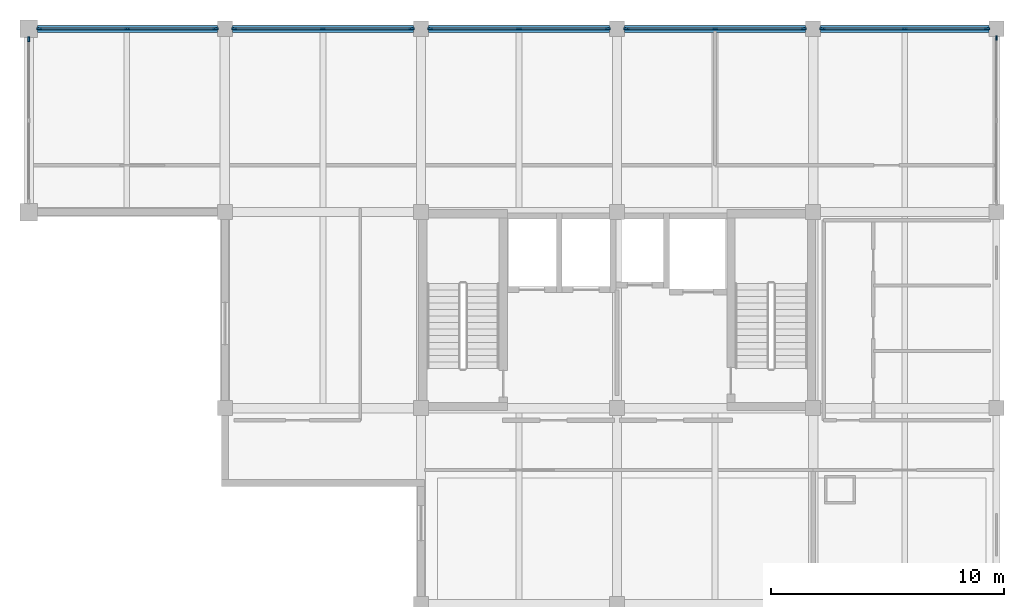
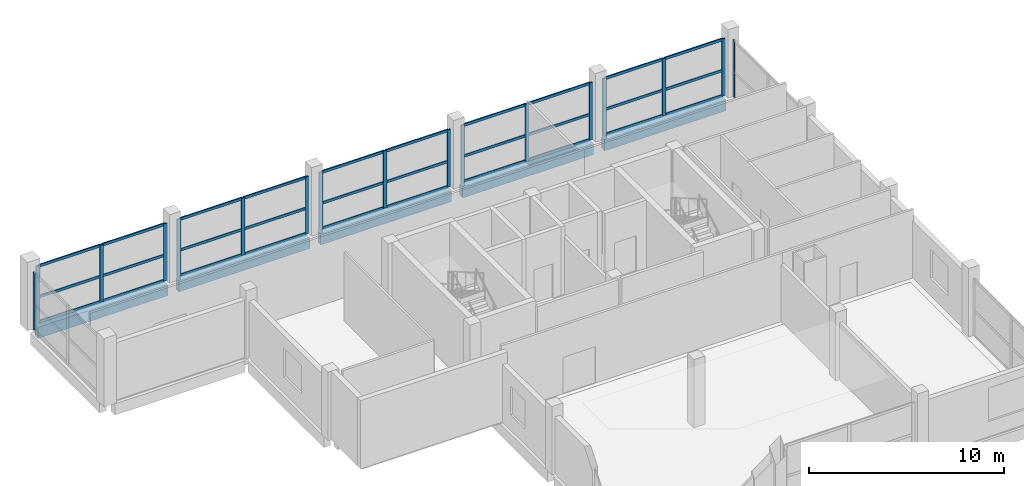
# One storey, part 5 of 9: 47 members, 5 beams, 7 elements without a shape of their own.
"""IFC4 building model written with IfcOpenShell, lengths in metres."""

from ifc_helpers import new_model, si_unit, direction, frame, origin, origin_2d, place, context, subcontext, project, spatial, rectangle, extrude, material, material_profile, profile_set, type_object, element, aggregate, save


model = new_model("IFC4")

# Units and contexts
model_context = context("Model", 3, precision=1e-05, world=origin(), true_north=direction((0.0, 1.0)))
body_context = subcontext(model_context, "Body", "Model", "MODEL_VIEW")
ifc_project = project(units=[si_unit("LENGTHUNIT", "METRE"), si_unit("AREAUNIT", "SQUARE_METRE"), si_unit("VOLUMEUNIT", "CUBIC_METRE"), si_unit("PLANEANGLEUNIT", "RADIAN"), si_unit("MASSUNIT", "GRAM", prefix="KILO")], contexts=[model_context])

# Site, building, storey
site_placement = place(None, origin())
site = spatial("IfcSite", under=ifc_project, at=site_placement, CompositionType="ELEMENT")
building_placement = place(site_placement, origin())
building = spatial("IfcBuilding", under=site, at=building_placement, Name="Brinegate Botanical Conservatory", CompositionType="ELEMENT")
storey_placement = place(building_placement, frame((0.0, 0.0, 61.199951171875)))
storey = spatial("IfcBuildingStorey", under=building, at=storey_placement, Name="L15", CompositionType="ELEMENT", Elevation=61.199951171875)

# Beams
ifc_material_1 = material(Name="Concrete C40/50", Category="concrete")
ifc_material_profile_1 = material_profile(ifc_material_1, rectangle(XDim=0.300048828125, YDim=0.699951171875, at=origin_2d()), Name="RC SPN 300x700")
ifc_profile_set_1 = profile_set([ifc_material_profile_1], Name="Concrete C40/50")
beam_type = type_object("IfcBeamType", Name="Beam_SP-02", PredefinedType="SPANDREL", material=ifc_profile_set_1)
beam_1_placement = place(storey_placement, frame((122.375, 111.449951171875, -0.530029296875), z_axis=(1.0, 0.0, 0.0), x_axis=(0.0, 1.0, 0.0)))
element("IfcBeam", 1, at=beam_1_placement, inside=storey, type_object=beam_type, Name="Beam SP-02 L15 P:16-17", PredefinedType="SPANDREL", context=body_context, shape_type="SweptSolid", body=[
    extrude(rectangle(XDim=0.300048828125, YDim=0.699951171875, at=origin_2d()), origin(), (0.0, 0.0, 1.0), 7.699951171875),
])
for number, where, z_axis, x_axis, name in (
    (2, (130.72509765625, 111.449951171875, -0.530029296875), (1.0, 0.0, 0.0), (0.0, 1.0, 0.0), "Beam SP-02 L15 P:17-18"),
    (3, (139.125, 111.449951171875, -0.530029296875), (1.0, 0.0, 0.0), (0.0, 1.0, 0.0), "Beam SP-02 L15 P:18-19"),
    (4, (147.52490234375, 111.449951171875, -0.530029296875), (1.0, 0.0, 0.0), (0.0, 1.0, 0.0), "Beam SP-02 L15 P:19-20"),
):
    element("IfcBeam", number, at=place(storey_placement, frame(where, z_axis=z_axis, x_axis=x_axis)), inside=storey, type_object=beam_type, Name=name, PredefinedType="SPANDREL", context=body_context, shape_type="SweptSolid", body=[
        extrude(rectangle(XDim=0.300048828125, YDim=0.699951171875, at=origin_2d()), origin(), (0.0, 0.0, 1.0), 7.75),
    ])
beam_2_placement = place(storey_placement, frame((155.925048828125, 111.449951171875, -0.530029296875), z_axis=(1.0, 0.0, 0.0), x_axis=(0.0, 1.0, 0.0)))
element("IfcBeam", 5, at=beam_2_placement, inside=storey, type_object=beam_type, Name="Beam SP-02 L15 P:20-21", PredefinedType="SPANDREL", context=body_context, shape_type="SweptSolid", body=[
    extrude(rectangle(XDim=0.300048828125, YDim=0.699951171875, at=origin_2d()), origin(), (0.0, 0.0, 1.0), 7.199951171875),
])

# Curtain wall, member
ifc_material_2 = material(Name="Thermally broken anodised aluminium AW-6063-T6", Category="aluminium")
curtain_wall_type_1 = type_object("IfcCurtainWallType", Name="CW_CW-TW2", PredefinedType="USERDEFINED", material=ifc_material_2)
curtain_wall_1_placement = place(storey_placement, origin())
curtain_wall_1 = element("IfcCurtainWall", 6, at=curtain_wall_1_placement, inside=storey, type_object=curtain_wall_type_1, Name="Tower east curtain wall L15.4", ObjectType="FACTORY CURTAIN WALL", PredefinedType="USERDEFINED")
ifc_material_profile_2 = material_profile(ifc_material_2, rectangle(XDim=0.070068359375, YDim=0.199951171875, at=origin_2d()), Name="ALUM MULLION 70x200")
ifc_profile_set_2 = profile_set([ifc_material_profile_2], Name="Thermally broken anodised aluminium AW-6063-T6")
member_type_1 = type_object("IfcMemberType", Name="Member_ML-03", PredefinedType="MULLION", material=ifc_profile_set_2)
member_1_placement = place(storey_placement, frame((163.449951171875, 111.050048828125, 0.0), z_axis=(0.0, 0.0, 1.0), x_axis=(1.0, 0.0, 0.0)))
member_1 = element("IfcMember", 7, at=member_1_placement, type_object=member_type_1, Name="CW-TW2 mullion 1", PredefinedType="MULLION", context=body_context, shape_type="SweptSolid", body=[
    extrude(rectangle(XDim=0.070068359375, YDim=0.199951171875, at=origin_2d()), origin(), (0.0, 0.0, 1.0), 3.580078125),
])
aggregate(curtain_wall_1, [member_1])

curtain_wall_type_2 = type_object("IfcCurtainWallType", Name="CW_CW-TW1", PredefinedType="USERDEFINED", material=ifc_material_2)
curtain_wall_2_placement = place(storey_placement, origin())
curtain_wall_2 = element("IfcCurtainWall", 8, at=curtain_wall_2_placement, inside=storey, type_object=curtain_wall_type_2, Name="Tower north-west curtain wall L15", ObjectType="FACTORY CURTAIN WALL", PredefinedType="USERDEFINED")
member_2_placement = place(storey_placement, frame((122.0, 111.0, 0.0), z_axis=(0.0, 0.0, 1.0), x_axis=(-1.0, 0.0, 0.0)))
member_2 = element("IfcMember", 9, at=member_2_placement, type_object=member_type_1, Name="CW-TW1 mullion 3", PredefinedType="MULLION", context=body_context, shape_type="SweptSolid", body=[
    extrude(rectangle(XDim=0.070068359375, YDim=0.199951171875, at=origin_2d()), origin(), (0.0, 0.0, 1.0), 3.580078125),
])
aggregate(curtain_wall_2, [member_2])

# Curtain wall, members
curtain_wall_3_placement = place(storey_placement, origin())
curtain_wall_3 = element("IfcCurtainWall", 10, at=curtain_wall_3_placement, inside=storey, type_object=curtain_wall_type_1, Name="Sky gallery north curtain wall 1", ObjectType="FACTORY CURTAIN WALL", PredefinedType="USERDEFINED")
ifc_material_profile_3 = material_profile(ifc_material_2, rectangle(XDim=0.074951171875, YDim=0.219970703125, at=origin_2d()), Name="ALUM MULLION 75x220")
ifc_profile_set_3 = profile_set([ifc_material_profile_3], Name="Thermally broken anodised aluminium AW-6063-T6")
member_type_2 = type_object("IfcMemberType", Name="Member_ML-04", PredefinedType="MULLION", material=ifc_profile_set_3)
member_3_placement = place(storey_placement, frame((122.452392578125, 111.449951171875, 0.0), z_axis=(0.0, 0.0, 1.0), x_axis=(0.0, 1.0, 0.0)))
member_3 = element("IfcMember", 11, at=member_3_placement, type_object=member_type_2, Name="CW-TW2 mullion 1", PredefinedType="MULLION", context=body_context, shape_type="SweptSolid", body=[
    extrude(rectangle(XDim=0.074951171875, YDim=0.219970703125, at=origin_2d()), origin(), (0.0, 0.0, 1.0), 3.580078125),
])
member_4_placement = place(storey_placement, frame((126.22509765625, 111.449951171875, 0.0), z_axis=(0.0, 0.0, 1.0), x_axis=(0.0, 1.0, 0.0)))
member_4 = element("IfcMember", 12, at=member_4_placement, type_object=member_type_2, Name="CW-TW2 mullion 2", PredefinedType="MULLION", context=body_context, shape_type="SweptSolid", body=[
    extrude(rectangle(XDim=0.074951171875, YDim=0.219970703125, at=origin_2d()), origin(), (0.0, 0.0, 1.0), 3.580078125),
])
member_5_placement = place(storey_placement, frame((129.99755859375, 111.449951171875, 0.0), z_axis=(0.0, 0.0, 1.0), x_axis=(0.0, 1.0, 0.0)))
member_5 = element("IfcMember", 13, at=member_5_placement, type_object=member_type_2, Name="CW-TW2 mullion 3", PredefinedType="MULLION", context=body_context, shape_type="SweptSolid", body=[
    extrude(rectangle(XDim=0.074951171875, YDim=0.219970703125, at=origin_2d()), origin(), (0.0, 0.0, 1.0), 3.580078125),
])

curtain_wall_4_placement = place(storey_placement, origin())
curtain_wall_4 = element("IfcCurtainWall", 14, at=curtain_wall_4_placement, inside=storey, type_object=curtain_wall_type_1, Name="Sky gallery north curtain wall 2", ObjectType="FACTORY CURTAIN WALL", PredefinedType="USERDEFINED")
member_6_placement = place(storey_placement, frame((130.802490234375, 111.449951171875, 0.0), z_axis=(0.0, 0.0, 1.0), x_axis=(0.0, 1.0, 0.0)))
member_6 = element("IfcMember", 15, at=member_6_placement, type_object=member_type_2, Name="CW-TW2 mullion 1", PredefinedType="MULLION", context=body_context, shape_type="SweptSolid", body=[
    extrude(rectangle(XDim=0.074951171875, YDim=0.219970703125, at=origin_2d()), origin(), (0.0, 0.0, 1.0), 3.580078125),
])
member_7_placement = place(storey_placement, frame((134.60009765625, 111.449951171875, 0.0), z_axis=(0.0, 0.0, 1.0), x_axis=(0.0, 1.0, 0.0)))
member_7 = element("IfcMember", 16, at=member_7_placement, type_object=member_type_2, Name="CW-TW2 mullion 2", PredefinedType="MULLION", context=body_context, shape_type="SweptSolid", body=[
    extrude(rectangle(XDim=0.074951171875, YDim=0.219970703125, at=origin_2d()), origin(), (0.0, 0.0, 1.0), 3.580078125),
])
member_8_placement = place(storey_placement, frame((138.3974609375, 111.449951171875, 0.0), z_axis=(0.0, 0.0, 1.0), x_axis=(0.0, 1.0, 0.0)))
member_8 = element("IfcMember", 17, at=member_8_placement, type_object=member_type_2, Name="CW-TW2 mullion 3", PredefinedType="MULLION", context=body_context, shape_type="SweptSolid", body=[
    extrude(rectangle(XDim=0.074951171875, YDim=0.219970703125, at=origin_2d()), origin(), (0.0, 0.0, 1.0), 3.580078125),
])

curtain_wall_5_placement = place(storey_placement, origin())
curtain_wall_5 = element("IfcCurtainWall", 18, at=curtain_wall_5_placement, inside=storey, type_object=curtain_wall_type_1, Name="Sky gallery north curtain wall 3", ObjectType="FACTORY CURTAIN WALL", PredefinedType="USERDEFINED")
member_9_placement = place(storey_placement, frame((139.202392578125, 111.449951171875, 0.0), z_axis=(0.0, 0.0, 1.0), x_axis=(0.0, 1.0, 0.0)))
member_9 = element("IfcMember", 19, at=member_9_placement, type_object=member_type_2, Name="CW-TW2 mullion 1", PredefinedType="MULLION", context=body_context, shape_type="SweptSolid", body=[
    extrude(rectangle(XDim=0.074951171875, YDim=0.219970703125, at=origin_2d()), origin(), (0.0, 0.0, 1.0), 3.580078125),
])
member_10_placement = place(storey_placement, frame((143.0, 111.449951171875, 0.0), z_axis=(0.0, 0.0, 1.0), x_axis=(0.0, 1.0, 0.0)))
member_10 = element("IfcMember", 20, at=member_10_placement, type_object=member_type_2, Name="CW-TW2 mullion 2", PredefinedType="MULLION", context=body_context, shape_type="SweptSolid", body=[
    extrude(rectangle(XDim=0.074951171875, YDim=0.219970703125, at=origin_2d()), origin(), (0.0, 0.0, 1.0), 3.580078125),
])
member_11_placement = place(storey_placement, frame((146.797607421875, 111.449951171875, 0.0), z_axis=(0.0, 0.0, 1.0), x_axis=(0.0, 1.0, 0.0)))
member_11 = element("IfcMember", 21, at=member_11_placement, type_object=member_type_2, Name="CW-TW2 mullion 3", PredefinedType="MULLION", context=body_context, shape_type="SweptSolid", body=[
    extrude(rectangle(XDim=0.074951171875, YDim=0.219970703125, at=origin_2d()), origin(), (0.0, 0.0, 1.0), 3.580078125),
])

curtain_wall_6_placement = place(storey_placement, origin())
curtain_wall_6 = element("IfcCurtainWall", 22, at=curtain_wall_6_placement, inside=storey, type_object=curtain_wall_type_1, Name="Sky gallery north curtain wall 4", ObjectType="FACTORY CURTAIN WALL", PredefinedType="USERDEFINED")
member_12_placement = place(storey_placement, frame((147.6025390625, 111.449951171875, 0.0), z_axis=(0.0, 0.0, 1.0), x_axis=(0.0, 1.0, 0.0)))
member_12 = element("IfcMember", 23, at=member_12_placement, type_object=member_type_2, Name="CW-TW2 mullion 1", PredefinedType="MULLION", context=body_context, shape_type="SweptSolid", body=[
    extrude(rectangle(XDim=0.074951171875, YDim=0.219970703125, at=origin_2d()), origin(), (0.0, 0.0, 1.0), 3.580078125),
])
member_13_placement = place(storey_placement, frame((151.39990234375, 111.449951171875, 0.0), z_axis=(0.0, 0.0, 1.0), x_axis=(0.0, 1.0, 0.0)))
member_13 = element("IfcMember", 24, at=member_13_placement, type_object=member_type_2, Name="CW-TW2 mullion 2", PredefinedType="MULLION", context=body_context, shape_type="SweptSolid", body=[
    extrude(rectangle(XDim=0.074951171875, YDim=0.219970703125, at=origin_2d()), origin(), (0.0, 0.0, 1.0), 3.580078125),
])
member_14_placement = place(storey_placement, frame((155.197509765625, 111.449951171875, 0.0), z_axis=(0.0, 0.0, 1.0), x_axis=(0.0, 1.0, 0.0)))
member_14 = element("IfcMember", 25, at=member_14_placement, type_object=member_type_2, Name="CW-TW2 mullion 3", PredefinedType="MULLION", context=body_context, shape_type="SweptSolid", body=[
    extrude(rectangle(XDim=0.074951171875, YDim=0.219970703125, at=origin_2d()), origin(), (0.0, 0.0, 1.0), 3.580078125),
])

curtain_wall_7_placement = place(storey_placement, origin())
curtain_wall_7 = element("IfcCurtainWall", 26, at=curtain_wall_7_placement, inside=storey, type_object=curtain_wall_type_1, Name="Sky gallery north curtain wall 5", ObjectType="FACTORY CURTAIN WALL", PredefinedType="USERDEFINED")
member_15_placement = place(storey_placement, frame((156.00244140625, 111.449951171875, 0.0), z_axis=(0.0, 0.0, 1.0), x_axis=(0.0, 1.0, 0.0)))
member_15 = element("IfcMember", 27, at=member_15_placement, type_object=member_type_2, Name="CW-TW2 mullion 1", PredefinedType="MULLION", context=body_context, shape_type="SweptSolid", body=[
    extrude(rectangle(XDim=0.074951171875, YDim=0.219970703125, at=origin_2d()), origin(), (0.0, 0.0, 1.0), 3.580078125),
])
member_16_placement = place(storey_placement, frame((159.52490234375, 111.449951171875, 0.0), z_axis=(0.0, 0.0, 1.0), x_axis=(0.0, 1.0, 0.0)))
member_16 = element("IfcMember", 28, at=member_16_placement, type_object=member_type_2, Name="CW-TW2 mullion 2", PredefinedType="MULLION", context=body_context, shape_type="SweptSolid", body=[
    extrude(rectangle(XDim=0.074951171875, YDim=0.219970703125, at=origin_2d()), origin(), (0.0, 0.0, 1.0), 3.580078125),
])
member_17_placement = place(storey_placement, frame((163.047607421875, 111.449951171875, 0.0), z_axis=(0.0, 0.0, 1.0), x_axis=(0.0, 1.0, 0.0)))
member_17 = element("IfcMember", 29, at=member_17_placement, type_object=member_type_2, Name="CW-TW2 mullion 3", PredefinedType="MULLION", context=body_context, shape_type="SweptSolid", body=[
    extrude(rectangle(XDim=0.074951171875, YDim=0.219970703125, at=origin_2d()), origin(), (0.0, 0.0, 1.0), 3.580078125),
])

# Member
ifc_material_profile_4 = material_profile(ifc_material_2, rectangle(XDim=0.074951171875, YDim=0.1650390625, at=origin_2d()), Name="ALUM TRANSOM 75x165")
ifc_profile_set_4 = profile_set([ifc_material_profile_4], Name="Thermally broken anodised aluminium AW-6063-T6")
member_type_3 = type_object("IfcMemberType", Name="Member_TR-04", PredefinedType="USERDEFINED", material=ifc_profile_set_4)
member_18_placement = place(storey_placement, frame((122.489990234375, 111.449951171875, 0.03759765625), z_axis=(1.0, 0.0, 0.0), x_axis=(0.0, 1.0, 0.0)))
member_18 = element("IfcMember", 30, at=member_18_placement, type_object=member_type_3, Name="CW-TW2 transom 1.1", ObjectType="TRANSOM", PredefinedType="USERDEFINED", context=body_context, shape_type="SweptSolid", body=[
    extrude(rectangle(XDim=0.074951171875, YDim=0.1650390625, at=origin_2d()), origin(), (0.0, 0.0, 1.0), 3.697509765625),
])

member_19_placement = place(storey_placement, frame((122.489990234375, 111.449951171875, 1.611083984375), z_axis=(1.0, 0.0, 0.0), x_axis=(0.0, 1.0, 0.0)))
member_19 = element("IfcMember", 31, at=member_19_placement, type_object=member_type_3, Name="CW-TW2 transom 1.2", ObjectType="TRANSOM", PredefinedType="USERDEFINED", context=body_context, shape_type="SweptSolid", body=[
    extrude(rectangle(XDim=0.074951171875, YDim=0.1650390625, at=origin_2d()), origin(), (0.0, 0.0, 1.0), 3.697509765625),
])

member_20_placement = place(storey_placement, frame((122.489990234375, 111.449951171875, 3.54248046875), z_axis=(1.0, 0.0, 0.0), x_axis=(0.0, 1.0, 0.0)))
member_20 = element("IfcMember", 32, at=member_20_placement, type_object=member_type_3, Name="CW-TW2 transom 1.3", ObjectType="TRANSOM", PredefinedType="USERDEFINED", context=body_context, shape_type="SweptSolid", body=[
    extrude(rectangle(XDim=0.074951171875, YDim=0.1650390625, at=origin_2d()), origin(), (0.0, 0.0, 1.0), 3.697509765625),
])

member_21_placement = place(storey_placement, frame((126.262451171875, 111.449951171875, 0.03759765625), z_axis=(1.0, 0.0, 0.0), x_axis=(0.0, 1.0, 0.0)))
member_21 = element("IfcMember", 33, at=member_21_placement, type_object=member_type_3, Name="CW-TW2 transom 2.1", ObjectType="TRANSOM", PredefinedType="USERDEFINED", context=body_context, shape_type="SweptSolid", body=[
    extrude(rectangle(XDim=0.074951171875, YDim=0.1650390625, at=origin_2d()), origin(), (0.0, 0.0, 1.0), 3.697509765625),
])

member_22_placement = place(storey_placement, frame((126.262451171875, 111.449951171875, 1.611083984375), z_axis=(1.0, 0.0, 0.0), x_axis=(0.0, 1.0, 0.0)))
member_22 = element("IfcMember", 34, at=member_22_placement, type_object=member_type_3, Name="CW-TW2 transom 2.2", ObjectType="TRANSOM", PredefinedType="USERDEFINED", context=body_context, shape_type="SweptSolid", body=[
    extrude(rectangle(XDim=0.074951171875, YDim=0.1650390625, at=origin_2d()), origin(), (0.0, 0.0, 1.0), 3.697509765625),
])

member_23_placement = place(storey_placement, frame((126.262451171875, 111.449951171875, 3.54248046875), z_axis=(1.0, 0.0, 0.0), x_axis=(0.0, 1.0, 0.0)))
member_23 = element("IfcMember", 35, at=member_23_placement, type_object=member_type_3, Name="CW-TW2 transom 2.3", ObjectType="TRANSOM", PredefinedType="USERDEFINED", context=body_context, shape_type="SweptSolid", body=[
    extrude(rectangle(XDim=0.074951171875, YDim=0.1650390625, at=origin_2d()), origin(), (0.0, 0.0, 1.0), 3.697509765625),
])

aggregate(curtain_wall_3, [member_3, member_4, member_5, member_18, member_19, member_20, member_21, member_22, member_23])

member_24_placement = place(storey_placement, frame((130.840087890625, 111.449951171875, 0.03759765625), z_axis=(1.0, 0.0, 0.0), x_axis=(0.0, 1.0, 0.0)))
member_24 = element("IfcMember", 36, at=member_24_placement, type_object=member_type_3, Name="CW-TW2 transom 1.1", ObjectType="TRANSOM", PredefinedType="USERDEFINED", context=body_context, shape_type="SweptSolid", body=[
    extrude(rectangle(XDim=0.074951171875, YDim=0.1650390625, at=origin_2d()), origin(), (0.0, 0.0, 1.0), 3.722412109375),
])

member_25_placement = place(storey_placement, frame((130.840087890625, 111.449951171875, 1.611083984375), z_axis=(1.0, 0.0, 0.0), x_axis=(0.0, 1.0, 0.0)))
member_25 = element("IfcMember", 37, at=member_25_placement, type_object=member_type_3, Name="CW-TW2 transom 1.2", ObjectType="TRANSOM", PredefinedType="USERDEFINED", context=body_context, shape_type="SweptSolid", body=[
    extrude(rectangle(XDim=0.074951171875, YDim=0.1650390625, at=origin_2d()), origin(), (0.0, 0.0, 1.0), 3.722412109375),
])

member_26_placement = place(storey_placement, frame((130.840087890625, 111.449951171875, 3.54248046875), z_axis=(1.0, 0.0, 0.0), x_axis=(0.0, 1.0, 0.0)))
member_26 = element("IfcMember", 38, at=member_26_placement, type_object=member_type_3, Name="CW-TW2 transom 1.3", ObjectType="TRANSOM", PredefinedType="USERDEFINED", context=body_context, shape_type="SweptSolid", body=[
    extrude(rectangle(XDim=0.074951171875, YDim=0.1650390625, at=origin_2d()), origin(), (0.0, 0.0, 1.0), 3.722412109375),
])

member_27_placement = place(storey_placement, frame((134.637451171875, 111.449951171875, 0.03759765625), z_axis=(1.0, 0.0, 0.0), x_axis=(0.0, 1.0, 0.0)))
member_27 = element("IfcMember", 39, at=member_27_placement, type_object=member_type_3, Name="CW-TW2 transom 2.1", ObjectType="TRANSOM", PredefinedType="USERDEFINED", context=body_context, shape_type="SweptSolid", body=[
    extrude(rectangle(XDim=0.074951171875, YDim=0.1650390625, at=origin_2d()), origin(), (0.0, 0.0, 1.0), 3.72265625),
])

member_28_placement = place(storey_placement, frame((134.637451171875, 111.449951171875, 1.611083984375), z_axis=(1.0, 0.0, 0.0), x_axis=(0.0, 1.0, 0.0)))
member_28 = element("IfcMember", 40, at=member_28_placement, type_object=member_type_3, Name="CW-TW2 transom 2.2", ObjectType="TRANSOM", PredefinedType="USERDEFINED", context=body_context, shape_type="SweptSolid", body=[
    extrude(rectangle(XDim=0.074951171875, YDim=0.1650390625, at=origin_2d()), origin(), (0.0, 0.0, 1.0), 3.72265625),
])

member_29_placement = place(storey_placement, frame((134.637451171875, 111.449951171875, 3.54248046875), z_axis=(1.0, 0.0, 0.0), x_axis=(0.0, 1.0, 0.0)))
member_29 = element("IfcMember", 41, at=member_29_placement, type_object=member_type_3, Name="CW-TW2 transom 2.3", ObjectType="TRANSOM", PredefinedType="USERDEFINED", context=body_context, shape_type="SweptSolid", body=[
    extrude(rectangle(XDim=0.074951171875, YDim=0.1650390625, at=origin_2d()), origin(), (0.0, 0.0, 1.0), 3.72265625),
])

aggregate(curtain_wall_4, [member_6, member_7, member_8, member_24, member_25, member_26, member_27, member_28, member_29])

member_30_placement = place(storey_placement, frame((139.239990234375, 111.449951171875, 0.03759765625), z_axis=(1.0, 0.0, 0.0), x_axis=(0.0, 1.0, 0.0)))
member_30 = element("IfcMember", 42, at=member_30_placement, type_object=member_type_3, Name="CW-TW2 transom 1.1", ObjectType="TRANSOM", PredefinedType="USERDEFINED", context=body_context, shape_type="SweptSolid", body=[
    extrude(rectangle(XDim=0.074951171875, YDim=0.1650390625, at=origin_2d()), origin(), (0.0, 0.0, 1.0), 3.722412109375),
])

member_31_placement = place(storey_placement, frame((139.239990234375, 111.449951171875, 1.611083984375), z_axis=(1.0, 0.0, 0.0), x_axis=(0.0, 1.0, 0.0)))
member_31 = element("IfcMember", 43, at=member_31_placement, type_object=member_type_3, Name="CW-TW2 transom 1.2", ObjectType="TRANSOM", PredefinedType="USERDEFINED", context=body_context, shape_type="SweptSolid", body=[
    extrude(rectangle(XDim=0.074951171875, YDim=0.1650390625, at=origin_2d()), origin(), (0.0, 0.0, 1.0), 3.722412109375),
])

member_32_placement = place(storey_placement, frame((139.239990234375, 111.449951171875, 3.54248046875), z_axis=(1.0, 0.0, 0.0), x_axis=(0.0, 1.0, 0.0)))
member_32 = element("IfcMember", 44, at=member_32_placement, type_object=member_type_3, Name="CW-TW2 transom 1.3", ObjectType="TRANSOM", PredefinedType="USERDEFINED", context=body_context, shape_type="SweptSolid", body=[
    extrude(rectangle(XDim=0.074951171875, YDim=0.1650390625, at=origin_2d()), origin(), (0.0, 0.0, 1.0), 3.722412109375),
])

member_33_placement = place(storey_placement, frame((143.03759765625, 111.449951171875, 0.03759765625), z_axis=(1.0, 0.0, 0.0), x_axis=(0.0, 1.0, 0.0)))
member_33 = element("IfcMember", 45, at=member_33_placement, type_object=member_type_3, Name="CW-TW2 transom 2.1", ObjectType="TRANSOM", PredefinedType="USERDEFINED", context=body_context, shape_type="SweptSolid", body=[
    extrude(rectangle(XDim=0.074951171875, YDim=0.1650390625, at=origin_2d()), origin(), (0.0, 0.0, 1.0), 3.722412109375),
])

member_34_placement = place(storey_placement, frame((143.03759765625, 111.449951171875, 1.611083984375), z_axis=(1.0, 0.0, 0.0), x_axis=(0.0, 1.0, 0.0)))
member_34 = element("IfcMember", 46, at=member_34_placement, type_object=member_type_3, Name="CW-TW2 transom 2.2", ObjectType="TRANSOM", PredefinedType="USERDEFINED", context=body_context, shape_type="SweptSolid", body=[
    extrude(rectangle(XDim=0.074951171875, YDim=0.1650390625, at=origin_2d()), origin(), (0.0, 0.0, 1.0), 3.722412109375),
])

member_35_placement = place(storey_placement, frame((143.03759765625, 111.449951171875, 3.54248046875), z_axis=(1.0, 0.0, 0.0), x_axis=(0.0, 1.0, 0.0)))
member_35 = element("IfcMember", 47, at=member_35_placement, type_object=member_type_3, Name="CW-TW2 transom 2.3", ObjectType="TRANSOM", PredefinedType="USERDEFINED", context=body_context, shape_type="SweptSolid", body=[
    extrude(rectangle(XDim=0.074951171875, YDim=0.1650390625, at=origin_2d()), origin(), (0.0, 0.0, 1.0), 3.722412109375),
])

aggregate(curtain_wall_5, [member_9, member_10, member_11, member_30, member_31, member_32, member_33, member_34, member_35])

member_36_placement = place(storey_placement, frame((147.639892578125, 111.449951171875, 0.03759765625), z_axis=(1.0, 0.0, 0.0), x_axis=(0.0, 1.0, 0.0)))
member_36 = element("IfcMember", 48, at=member_36_placement, type_object=member_type_3, Name="CW-TW2 transom 1.1", ObjectType="TRANSOM", PredefinedType="USERDEFINED", context=body_context, shape_type="SweptSolid", body=[
    extrude(rectangle(XDim=0.074951171875, YDim=0.1650390625, at=origin_2d()), origin(), (0.0, 0.0, 1.0), 3.72265625),
])

member_37_placement = place(storey_placement, frame((147.639892578125, 111.449951171875, 1.611083984375), z_axis=(1.0, 0.0, 0.0), x_axis=(0.0, 1.0, 0.0)))
member_37 = element("IfcMember", 49, at=member_37_placement, type_object=member_type_3, Name="CW-TW2 transom 1.2", ObjectType="TRANSOM", PredefinedType="USERDEFINED", context=body_context, shape_type="SweptSolid", body=[
    extrude(rectangle(XDim=0.074951171875, YDim=0.1650390625, at=origin_2d()), origin(), (0.0, 0.0, 1.0), 3.72265625),
])

member_38_placement = place(storey_placement, frame((147.639892578125, 111.449951171875, 3.54248046875), z_axis=(1.0, 0.0, 0.0), x_axis=(0.0, 1.0, 0.0)))
member_38 = element("IfcMember", 50, at=member_38_placement, type_object=member_type_3, Name="CW-TW2 transom 1.3", ObjectType="TRANSOM", PredefinedType="USERDEFINED", context=body_context, shape_type="SweptSolid", body=[
    extrude(rectangle(XDim=0.074951171875, YDim=0.1650390625, at=origin_2d()), origin(), (0.0, 0.0, 1.0), 3.72265625),
])

member_39_placement = place(storey_placement, frame((151.4375, 111.449951171875, 0.03759765625), z_axis=(1.0, 0.0, 0.0), x_axis=(0.0, 1.0, 0.0)))
member_39 = element("IfcMember", 51, at=member_39_placement, type_object=member_type_3, Name="CW-TW2 transom 2.1", ObjectType="TRANSOM", PredefinedType="USERDEFINED", context=body_context, shape_type="SweptSolid", body=[
    extrude(rectangle(XDim=0.074951171875, YDim=0.1650390625, at=origin_2d()), origin(), (0.0, 0.0, 1.0), 3.722412109375),
])

member_40_placement = place(storey_placement, frame((151.4375, 111.449951171875, 1.611083984375), z_axis=(1.0, 0.0, 0.0), x_axis=(0.0, 1.0, 0.0)))
member_40 = element("IfcMember", 52, at=member_40_placement, type_object=member_type_3, Name="CW-TW2 transom 2.2", ObjectType="TRANSOM", PredefinedType="USERDEFINED", context=body_context, shape_type="SweptSolid", body=[
    extrude(rectangle(XDim=0.074951171875, YDim=0.1650390625, at=origin_2d()), origin(), (0.0, 0.0, 1.0), 3.722412109375),
])

member_41_placement = place(storey_placement, frame((151.4375, 111.449951171875, 3.54248046875), z_axis=(1.0, 0.0, 0.0), x_axis=(0.0, 1.0, 0.0)))
member_41 = element("IfcMember", 53, at=member_41_placement, type_object=member_type_3, Name="CW-TW2 transom 2.3", ObjectType="TRANSOM", PredefinedType="USERDEFINED", context=body_context, shape_type="SweptSolid", body=[
    extrude(rectangle(XDim=0.074951171875, YDim=0.1650390625, at=origin_2d()), origin(), (0.0, 0.0, 1.0), 3.722412109375),
])

aggregate(curtain_wall_6, [member_12, member_13, member_14, member_36, member_37, member_38, member_39, member_40, member_41])

member_42_placement = place(storey_placement, frame((156.0400390625, 111.449951171875, 0.03759765625), z_axis=(1.0, 0.0, 0.0), x_axis=(0.0, 1.0, 0.0)))
member_42 = element("IfcMember", 54, at=member_42_placement, type_object=member_type_3, Name="CW-TW2 transom 1.1", ObjectType="TRANSOM", PredefinedType="USERDEFINED", context=body_context, shape_type="SweptSolid", body=[
    extrude(rectangle(XDim=0.074951171875, YDim=0.1650390625, at=origin_2d()), origin(), (0.0, 0.0, 1.0), 3.447509765625),
])

member_43_placement = place(storey_placement, frame((156.0400390625, 111.449951171875, 1.611083984375), z_axis=(1.0, 0.0, 0.0), x_axis=(0.0, 1.0, 0.0)))
member_43 = element("IfcMember", 55, at=member_43_placement, type_object=member_type_3, Name="CW-TW2 transom 1.2", ObjectType="TRANSOM", PredefinedType="USERDEFINED", context=body_context, shape_type="SweptSolid", body=[
    extrude(rectangle(XDim=0.074951171875, YDim=0.1650390625, at=origin_2d()), origin(), (0.0, 0.0, 1.0), 3.447509765625),
])

member_44_placement = place(storey_placement, frame((156.0400390625, 111.449951171875, 3.54248046875), z_axis=(1.0, 0.0, 0.0), x_axis=(0.0, 1.0, 0.0)))
member_44 = element("IfcMember", 56, at=member_44_placement, type_object=member_type_3, Name="CW-TW2 transom 1.3", ObjectType="TRANSOM", PredefinedType="USERDEFINED", context=body_context, shape_type="SweptSolid", body=[
    extrude(rectangle(XDim=0.074951171875, YDim=0.1650390625, at=origin_2d()), origin(), (0.0, 0.0, 1.0), 3.447509765625),
])

member_45_placement = place(storey_placement, frame((159.5625, 111.449951171875, 0.03759765625), z_axis=(1.0, 0.0, 0.0), x_axis=(0.0, 1.0, 0.0)))
member_45 = element("IfcMember", 57, at=member_45_placement, type_object=member_type_3, Name="CW-TW2 transom 2.1", ObjectType="TRANSOM", PredefinedType="USERDEFINED", context=body_context, shape_type="SweptSolid", body=[
    extrude(rectangle(XDim=0.074951171875, YDim=0.1650390625, at=origin_2d()), origin(), (0.0, 0.0, 1.0), 3.447509765625),
])

member_46_placement = place(storey_placement, frame((159.5625, 111.449951171875, 1.611083984375), z_axis=(1.0, 0.0, 0.0), x_axis=(0.0, 1.0, 0.0)))
member_46 = element("IfcMember", 58, at=member_46_placement, type_object=member_type_3, Name="CW-TW2 transom 2.2", ObjectType="TRANSOM", PredefinedType="USERDEFINED", context=body_context, shape_type="SweptSolid", body=[
    extrude(rectangle(XDim=0.074951171875, YDim=0.1650390625, at=origin_2d()), origin(), (0.0, 0.0, 1.0), 3.447509765625),
])

member_47_placement = place(storey_placement, frame((159.5625, 111.449951171875, 3.54248046875), z_axis=(1.0, 0.0, 0.0), x_axis=(0.0, 1.0, 0.0)))
member_47 = element("IfcMember", 59, at=member_47_placement, type_object=member_type_3, Name="CW-TW2 transom 2.3", ObjectType="TRANSOM", PredefinedType="USERDEFINED", context=body_context, shape_type="SweptSolid", body=[
    extrude(rectangle(XDim=0.074951171875, YDim=0.1650390625, at=origin_2d()), origin(), (0.0, 0.0, 1.0), 3.447509765625),
])

aggregate(curtain_wall_7, [member_15, member_16, member_17, member_42, member_43, member_44, member_45, member_46, member_47])

save(model, "model.ifc")
